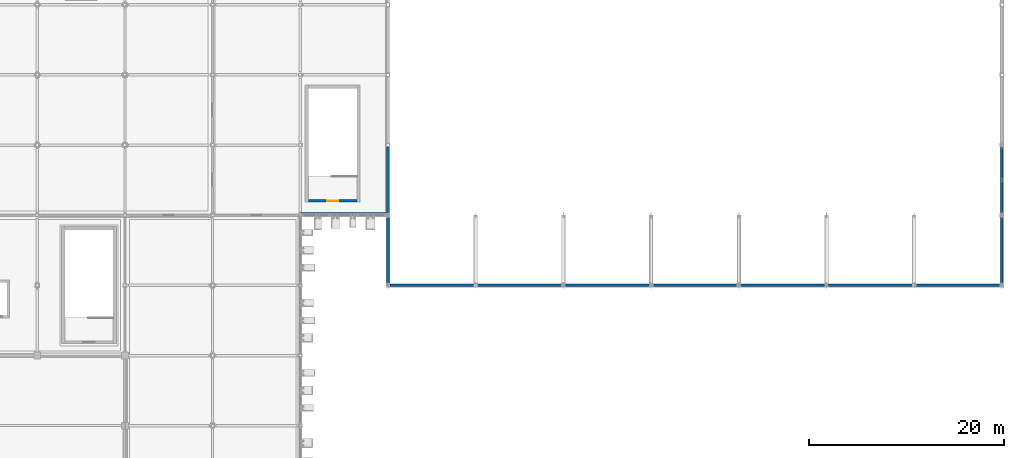
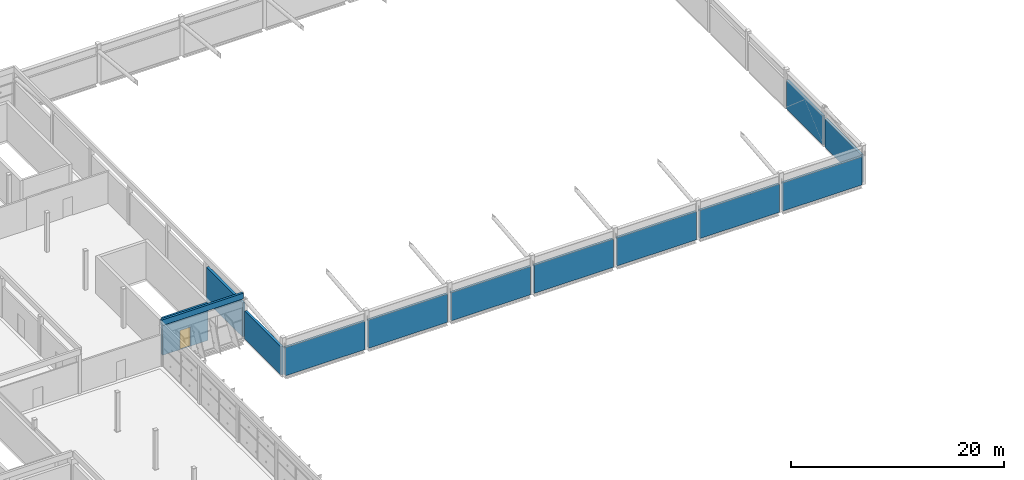
# One storey, part 103 of 124: 13 walls, 1 door, 1 opening.
"""IFC4 building model written with IfcOpenShell, lengths in metres."""

from ifc_helpers import new_model, si_unit, direction, frame, frame_2d, origin, place, context, subcontext, project, spatial, rectangle, extrude, material, layer, layer_set, type_object, element, fill, save


model = new_model("IFC4")

# Units and contexts
model_context = context("Model", 3, precision=1e-05, world=origin(), true_north=direction((0.0, 1.0)))
body_context = subcontext(model_context, "Body", "Model", "MODEL_VIEW")
ifc_project = project(units=[si_unit("LENGTHUNIT", "METRE"), si_unit("AREAUNIT", "SQUARE_METRE"), si_unit("VOLUMEUNIT", "CUBIC_METRE"), si_unit("PLANEANGLEUNIT", "RADIAN"), si_unit("MASSUNIT", "GRAM", prefix="KILO")], contexts=[model_context])

# Site, building, storey
site_placement = place(None, origin())
site = spatial("IfcSite", under=ifc_project, at=site_placement, CompositionType="ELEMENT")
building_placement = place(site_placement, origin())
building = spatial("IfcBuilding", under=site, at=building_placement, Name="Celestram Park Convention Centre", CompositionType="ELEMENT")
storey_placement = place(building_placement, frame((0.0, 0.0, 15.300048828125)))
storey = spatial("IfcBuildingStorey", under=building, at=storey_placement, Name="L03", CompositionType="ELEMENT", Elevation=15.300048828125)

# Wall, opening, door
ifc_material_1 = material(Name="Concrete Block Masonry C25/30", Category="masonry")
ifc_layer_1 = layer(ifc_material_1, 0.25)
ifc_layer_set_1 = layer_set([ifc_layer_1], Name="Concrete Block Masonry C25/30")
wall_type_1 = type_object("IfcWallType", Name="ARC-WL-COR250", PredefinedType="STANDARD", material=ifc_layer_set_1)
wall_1_placement = place(storey_placement, frame((144.840087890625, 123.875, 0.0), z_axis=(0.0, 0.0, 1.0), x_axis=(1.0, 0.0, 0.0)))
wall_1 = element("IfcWall", 1, at=wall_1_placement, inside=storey, type_object=wall_type_1, Name="Core S10 stair entrance wall", PredefinedType="STANDARD", context=body_context, shape_type="SweptSolid", body=[
    extrude(rectangle(XDim=4.9599609375, YDim=0.25, at=frame_2d((2.47998046875, 0.0))), origin(), (0.0, 0.0, 1.0), 4.25),
])
opening_placement = place(wall_1_placement, frame((1.905029296875, 0.0, 0.0)))
opening = element("IfcOpeningElement", 2, at=opening_placement, cuts=wall_1, Name="Opening D-ST1", PredefinedType="OPENING", context=body_context, shape_type="SweptSolid", body=[
    extrude(rectangle(XDim=1.14990234375, YDim=2.199951171875, at=frame_2d((0.574951171875, 1.10009765625))), frame((0.0, 0.135009765625, 0.0), z_axis=(0.0, -1.0, 0.0), x_axis=(1.0, 0.0, 0.0)), (0.0, 0.0, 1.0), 0.27001953125),
])
ifc_material_2 = material(Name="Fire-Rated Hollow Metal Steel ASTM A653", Category="steel")
door_type = type_object("IfcDoorType", Name="ARC-DR-ST115", OperationType="NOTDEFINED", PredefinedType="DOOR", material=ifc_material_2)
door_placement = place(opening_placement, origin())
door = element("IfcDoor", 3, at=door_placement, inside=storey, type_object=door_type, Name="Exit stair ST-10 fire door", OperationType="SINGLE_SWING_RIGHT", OverallHeight=2.199951171875, OverallWidth=1.14990234375, PredefinedType="DOOR", context=body_context, shape_type="SweptSolid", body=[
    extrude(rectangle(XDim=1.14990234375, YDim=2.199951171875, at=frame_2d((0.574951171875, 1.10009765625))), frame((0.0, 0.02490234375, 0.0), z_axis=(0.0, -1.0, 0.0), x_axis=(1.0, 0.0, 0.0)), (0.0, 0.0, 1.0), 0.050048828125),
])
fill(opening, door)

# Walls
ifc_material_3 = material(Name="Precast Concrete C40/50", Category="concrete")
ifc_layer_2 = layer(ifc_material_3, 0.260009765625)
ifc_layer_set_2 = layer_set([ifc_layer_2], Name="Precast Concrete C40/50")
wall_type_2 = type_object("IfcWallType", Name="ARC-WL-EXT260", PredefinedType="STANDARD", material=ifc_layer_set_2)
wall_2_placement = place(storey_placement, frame((153.0, 129.402099609375, 0.0), z_axis=(0.0, 0.0, 1.0), x_axis=(0.0, -1.0, 0.0)))
element("IfcWall", 4, at=wall_2_placement, inside=storey, type_object=wall_type_2, Name="Acoustic hall overlook wall WL-L03-EW194", PredefinedType="STANDARD", context=body_context, shape_type="SweptSolid", body=[
    extrude(rectangle(XDim=6.80419921875, YDim=0.260009765625, at=frame_2d((3.402099609375, 0.0))), origin(), (0.0, 0.0, 1.0), 3.904052734375),
])
wall_3_placement = place(storey_placement, frame((216.0, 129.402099609375, 0.0), z_axis=(0.0, 0.0, 1.0), x_axis=(0.0, -1.0, 0.0)))
element("IfcWall", 5, at=wall_3_placement, inside=storey, type_object=wall_type_2, Name="Bush-hammered precast exterior wall WL-L03-EW207", PredefinedType="STANDARD", context=body_context, shape_type="SweptSolid", body=[
    extrude(rectangle(XDim=6.80419921875, YDim=0.260009765625, at=frame_2d((3.402099609375, 0.0))), origin(), (0.0, 0.0, 1.0), 3.31787109375),
])
wall_4_placement = place(storey_placement, frame((216.0, 122.201904296875, 0.0), z_axis=(0.0, 0.0, 1.0), x_axis=(0.0, -1.0, 0.0)))
element("IfcWall", 6, at=wall_4_placement, inside=storey, type_object=wall_type_2, Name="Bush-hammered precast exterior wall WL-L03-EW208", PredefinedType="STANDARD", context=body_context, shape_type="SweptSolid", body=[
    extrude(rectangle(XDim=6.803955078125, YDim=0.260009765625, at=frame_2d((3.40185546875, 0.0))), origin(), (0.0, 0.0, 1.0), 3.239013671875),
])
for number, where, z_axis, x_axis, name in (
    (7, (215.802001953125, 115.199951171875, 0.0), (0.0, 0.0, 1.0), (-1.0, 0.0, 0.0), "Bush-hammered precast exterior wall WL-L03-EW209"),
    (8, (206.802001953125, 115.199951171875, 0.0), (0.0, 0.0, 1.0), (-1.0, 0.0, 0.0), "Bush-hammered precast exterior wall WL-L03-EW210"),
    (9, (197.802001953125, 115.199951171875, 0.0), (0.0, 0.0, 1.0), (-1.0, 0.0, 0.0), "Bush-hammered precast exterior wall WL-L03-EW211"),
    (10, (188.802001953125, 115.199951171875, 0.0), (0.0, 0.0, 1.0), (-1.0, 0.0, 0.0), "Bush-hammered precast exterior wall WL-L03-EW212"),
    (11, (179.802001953125, 115.199951171875, 0.0), (0.0, 0.0, 1.0), (-1.0, 0.0, 0.0), "Bush-hammered precast exterior wall WL-L03-EW213"),
    (12, (170.802001953125, 115.199951171875, 0.0), (0.0, 0.0, 1.0), (-1.0, 0.0, 0.0), "Bush-hammered precast exterior wall WL-L03-EW214"),
    (13, (161.802001953125, 115.199951171875, 0.0), (0.0, 0.0, 1.0), (-1.0, 0.0, 0.0), "Bush-hammered precast exterior wall WL-L03-EW215"),
):
    element("IfcWall", number, at=place(storey_placement, frame(where, z_axis=z_axis, x_axis=x_axis)), inside=storey, type_object=wall_type_2, Name=name, PredefinedType="STANDARD", context=body_context, shape_type="SweptSolid", body=[
        extrude(rectangle(XDim=8.60400390625, YDim=0.260009765625, at=frame_2d((4.302001953125, 0.0))), origin(), (0.0, 0.0, 1.0), 3.239013671875),
    ])
wall_5_placement = place(storey_placement, frame((153.0, 115.39794921875, 0.0), z_axis=(0.0, 0.0, 1.0), x_axis=(0.0, 1.0, 0.0)))
element("IfcWall", 14, at=wall_5_placement, inside=storey, type_object=wall_type_2, Name="Bush-hammered precast exterior wall WL-L03-EW216", PredefinedType="STANDARD", context=body_context, shape_type="SweptSolid", body=[
    extrude(rectangle(XDim=6.803955078125, YDim=0.260009765625, at=frame_2d((3.40185546875, 0.0))), origin(), (0.0, 0.0, 1.0), 3.239013671875),
])
ifc_layer_3 = layer(ifc_material_3, 0.239990234375)
ifc_layer_set_3 = layer_set([ifc_layer_3], Name="Precast Concrete C40/50")
wall_type_3 = type_object("IfcWallType", Name="ARC-WL-PAR240", PredefinedType="PARAPET", material=ifc_layer_set_3)
wall_6_placement = place(storey_placement, frame((152.860107421875, 122.5400390625, 4.5), z_axis=(0.0, 0.0, 1.0), x_axis=(-1.0, 0.0, 0.0)))
element("IfcWall", 15, at=wall_6_placement, inside=storey, type_object=wall_type_3, Name="Flat roof parapet WL-L03-PR07", PredefinedType="PARAPET", context=body_context, shape_type="SweptSolid", body=[
    extrude(rectangle(XDim=8.860107421875, YDim=0.239990234375, at=frame_2d((4.43017578125, 0.0))), origin(), (0.0, 0.0, 1.0), 0.64990234375),
])

save(model, "model.ifc")
